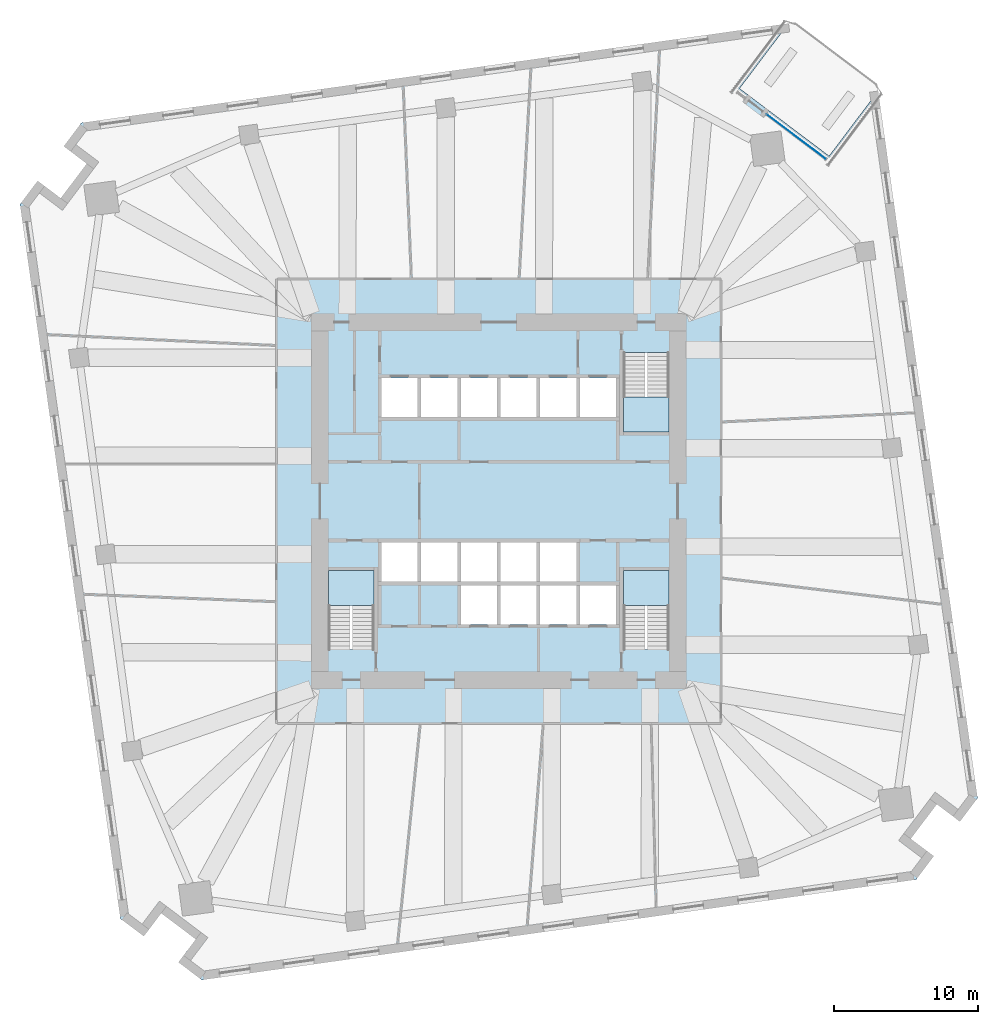
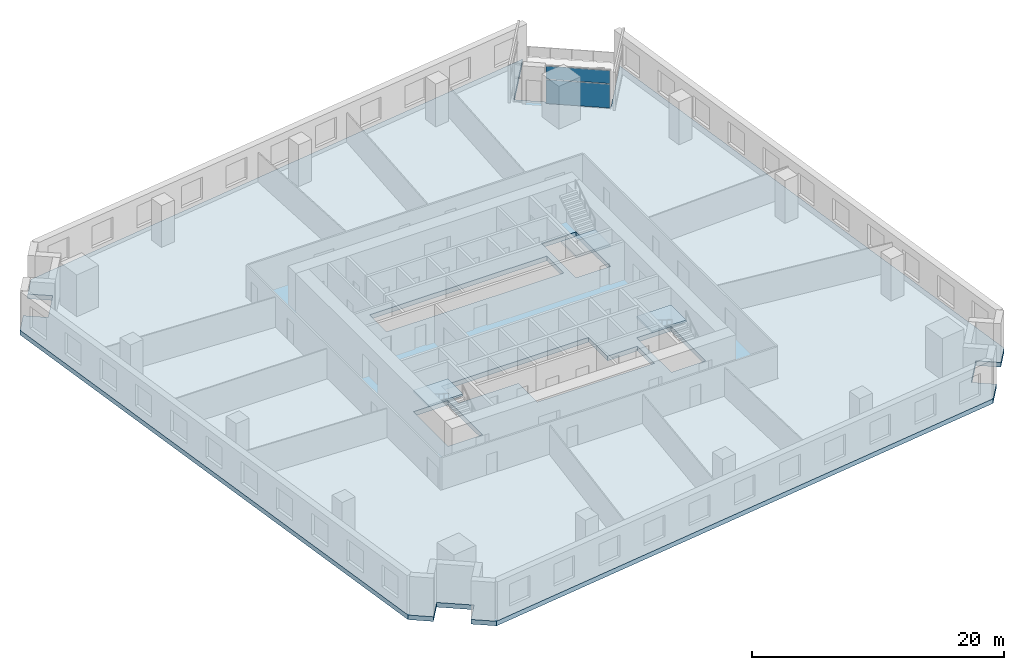
# One storey, part 3 of 12: 4 slabs, 2 plates, 4 elements without a shape of their own.
"""IFC4 building model written with IfcOpenShell, lengths in metres."""

from ifc_helpers import new_model, si_unit, direction, frame, origin, origin_2d, place, context, subcontext, project, spatial, polyline, rectangle, outline, extrude, material, layer, layer_set, type_object, element, aggregate, save


model = new_model("IFC4")

# Units and contexts
model_context = context("Model", 3, precision=1e-05, world=origin(), true_north=direction((0.0, 1.0)))
body_context = subcontext(model_context, "Body", "Model", "MODEL_VIEW")
ifc_project = project(units=[si_unit("LENGTHUNIT", "METRE"), si_unit("AREAUNIT", "SQUARE_METRE"), si_unit("VOLUMEUNIT", "CUBIC_METRE"), si_unit("PLANEANGLEUNIT", "RADIAN"), si_unit("MASSUNIT", "GRAM", prefix="KILO")], contexts=[model_context])

# Site, building, storey
site_placement = place(None, origin())
site = spatial("IfcSite", under=ifc_project, at=site_placement, CompositionType="ELEMENT")
building_placement = place(site_placement, origin())
building = spatial("IfcBuilding", under=site, at=building_placement, Name="Dilmun Exchange Tower", CompositionType="ELEMENT")
storey_placement = place(building_placement, frame((0.0, 0.0, 55.5)))
storey = spatial("IfcBuildingStorey", under=building, at=storey_placement, Name="L12", CompositionType="ELEMENT", Elevation=55.5)

# Stair, slab
ifc_material_1 = material(Name="Concrete C40/50", Category="concrete")
stair_type = type_object("IfcStairType", Name="Exit stair 1500 half-turn", PredefinedType="HALF_TURN_STAIR", material=ifc_material_1)
stair_1_placement = place(storey_placement, origin())
stair_1 = element("IfcStair", 1, at=stair_1_placement, inside=storey, type_object=stair_type, Name="L12 Protected exit stair ST1", PredefinedType="HALF_TURN_STAIR")
ifc_layer_1 = layer(ifc_material_1, 0.199951171875)
ifc_layer_set_1 = layer_set([ifc_layer_1], Name="Concrete C40/50")
slab_type_1 = type_object("IfcSlabType", Name="Exit stair landing 200", PredefinedType="LANDING", material=ifc_layer_set_1)
slab_1_placement = place(storey_placement, frame((0.0, 0.0, 1.89990234375)))
slab_1 = element("IfcSlab", 2, at=slab_1_placement, type_object=slab_type_1, Name="ST1 landing 1", PredefinedType="LANDING", context=body_context, shape_type="SweptSolid", body=[
    extrude(outline(polyline([(8.64990234375, 7.219970703125), (8.64990234375, 4.800048828125), (11.800048828125, 4.800048828125), (11.800048828125, 7.219970703125), (8.64990234375, 7.219970703125)])), origin(), (0.0, 0.0, 1.0), 0.2001953125),
])
aggregate(stair_1, [slab_1])

stair_2_placement = place(storey_placement, origin())
stair_2 = element("IfcStair", 3, at=stair_2_placement, inside=storey, type_object=stair_type, Name="L12 Protected exit stair ST2", PredefinedType="HALF_TURN_STAIR")
slab_2_placement = place(storey_placement, frame((0.0, 0.0, 1.89990234375)))
slab_2 = element("IfcSlab", 4, at=slab_2_placement, type_object=slab_type_1, Name="ST2 landing 1", PredefinedType="LANDING", context=body_context, shape_type="SweptSolid", body=[
    extrude(outline(polyline([(-8.64990234375, -7.219970703125), (-8.64990234375, -4.800048828125), (-11.800048828125, -4.800048828125), (-11.800048828125, -7.219970703125), (-8.64990234375, -7.219970703125)])), origin(), (0.0, 0.0, 1.0), 0.2001953125),
])
aggregate(stair_2, [slab_2])

stair_3_placement = place(storey_placement, origin())
stair_3 = element("IfcStair", 5, at=stair_3_placement, inside=storey, type_object=stair_type, Name="L12 Protected exit stair ST3", PredefinedType="HALF_TURN_STAIR")
slab_3_placement = place(storey_placement, frame((0.0, 0.0, 1.89990234375)))
slab_3 = element("IfcSlab", 6, at=slab_3_placement, type_object=slab_type_1, Name="ST3 landing 1", PredefinedType="LANDING", context=body_context, shape_type="SweptSolid", body=[
    extrude(outline(polyline([(11.800048828125, -7.219970703125), (11.800048828125, -4.800048828125), (8.64990234375, -4.800048828125), (8.64990234375, -7.219970703125), (11.800048828125, -7.219970703125)])), origin(), (0.0, 0.0, 1.0), 0.2001953125),
])
aggregate(stair_3, [slab_3])

# Curtain wall, plates
ifc_material_2 = material(Name="Anodised aluminium and clear glass", Category="aluminium")
curtain_wall_type = type_object("IfcCurtainWallType", Name="Garden corner glazing", PredefinedType="NOTDEFINED", material=ifc_material_2)
curtain_wall_placement = place(storey_placement, origin())
curtain_wall = element("IfcCurtainWall", 7, at=curtain_wall_placement, inside=storey, type_object=curtain_wall_type, Name="Garden corner glazing run GC2.1", PredefinedType="NOTDEFINED")
ifc_material_3 = material(Name="Clear glass", Category="glass")
ifc_layer_2 = layer(ifc_material_3, 0.028076171875)
ifc_layer_set_2 = layer_set([ifc_layer_2], Name="Clear glass")
plate_type = type_object("IfcPlateType", Name="Garden corner glazing glass panel 28", PredefinedType="CURTAIN_PANEL", material=ifc_layer_set_2)
plate_1_placement = place(storey_placement, frame((20.62744140625, 25.26416015625, 0.06005859375), z_axis=(0.0, 0.0, 1.0), x_axis=(-0.798630510323, 0.601821657953, 0.0)))
plate_1 = element("IfcPlate", 8, at=plate_1_placement, type_object=plate_type, Name="GC2.1 panel 1.1", PredefinedType="CURTAIN_PANEL", context=body_context, shape_type="SweptSolid", body=[
    extrude(rectangle(XDim=5.119140625, YDim=0.028076171875, at=origin_2d()), origin(), (0.0, 0.0, 1.0), 2.31005859375),
])
plate_2_placement = place(storey_placement, frame((20.62744140625, 25.26416015625, 2.43017578125), z_axis=(0.0, 0.0, 1.0), x_axis=(-0.798630510323, 0.601821657953, 0.0)))
plate_2 = element("IfcPlate", 9, at=plate_2_placement, type_object=plate_type, Name="GC2.1 panel 1.2", PredefinedType="CURTAIN_PANEL", context=body_context, shape_type="SweptSolid", body=[
    extrude(rectangle(XDim=5.119140625, YDim=0.028076171875, at=origin_2d()), origin(), (0.0, 0.0, 1.0), 1.260009765625),
])
aggregate(curtain_wall, [plate_1, plate_2])

# Slab
ifc_layer_3 = layer(ifc_material_1, 0.449951171875)
ifc_layer_set_3 = layer_set([ifc_layer_3], Name="Concrete C40/50")
slab_type_2 = type_object("IfcSlabType", Name="RC floor slab 450", PredefinedType="FLOOR", material=ifc_layer_set_3)
slab_4_placement = place(storey_placement, frame((0.0, 0.0, -0.449951171875)))
element("IfcSlab", 10, at=slab_4_placement, inside=storey, type_object=slab_type_2, Name="Floor slab", PredefinedType="FLOOR", context=body_context, shape_type="SweptSolid", body=[
    extrude(outline(polyline([(31.96240234375, -22.207275390625), (30.364990234375, -21.00341796875), (28.5595703125, -23.3994140625), (30.156982421875, -24.60302734375), (28.931884765625, -26.228759765625), (-20.58154296875, -33.1875), (-22.207275390625, -31.96240234375), (-21.00341796875, -30.364990234375), (-23.3994140625, -28.5595703125), (-24.60302734375, -30.156982421875), (-26.228759765625, -28.931884765625), (-33.1875, 20.58154296875), (-31.96240234375, 22.207275390625), (-30.364990234375, 21.00341796875), (-28.5595703125, 23.3994140625), (-30.156982421875, 24.60302734375), (-28.931884765625, 26.228759765625), (20.08642578125, 33.117919921875), (16.688232421875, 28.6083984375), (22.900146484375, 23.92724609375), (26.29833984375, 28.436767578125), (33.1875, -20.58154296875), (31.96240234375, -22.207275390625)]), holes=[polyline([(-8.64990234375, -4.800048828125), (-11.800048828125, -4.800048828125), (-11.800048828125, -10.294921875), (-8.64990234375, -10.294921875), (-8.64990234375, -4.800048828125)]), polyline([(11.800048828125, -4.800048828125), (8.64990234375, -4.800048828125), (8.64990234375, -10.294921875), (11.800048828125, -10.294921875), (11.800048828125, -4.800048828125)]), polyline([(-8.125, -2.85009765625), (-8.125, -5.550048828125), (-2.625, -5.550048828125), (-2.625, -8.550048828125), (8.125, -8.550048828125), (8.125, -5.85009765625), (5.375, -5.85009765625), (5.375, -2.85009765625), (-8.125, -2.85009765625)]), polyline([(-8.125, 5.85009765625), (8.125, 5.85009765625), (8.125, 8.550048828125), (-8.125, 8.550048828125), (-8.125, 5.85009765625)]), polyline([(8.64990234375, 10.294921875), (8.64990234375, 4.800048828125), (11.800048828125, 4.800048828125), (11.800048828125, 10.294921875), (8.64990234375, 10.294921875)])]), origin(), (0.0, 0.0, 1.0), 0.449951171875),
])

save(model, "model.ifc")
